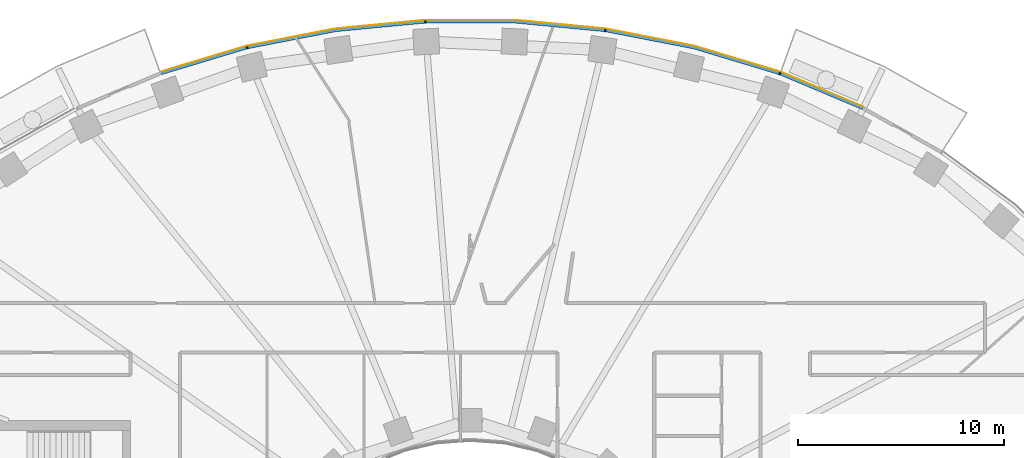
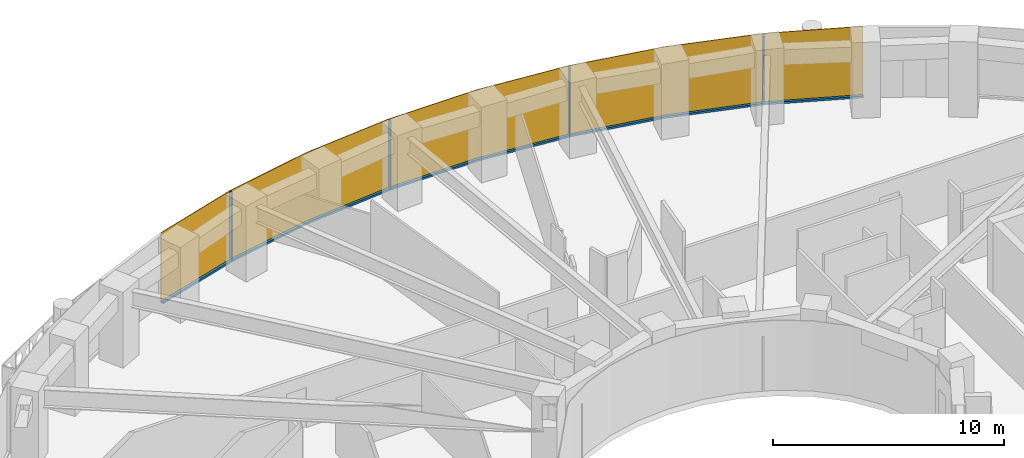
# One storey, part 12 of 15: 9 members, 1 curtain wall.
"""IFC4 building model written with IfcOpenShell, lengths in metres."""

from ifc_helpers import new_model, si_unit, direction, frame, origin, origin_2d, place, context, subcontext, project, spatial, polyline, rectangle, outline, extrude, material, layer, layer_set, material_profile, profile_set, type_object, element, aggregate, save


model = new_model("IFC4")

# Units and contexts
model_context = context("Model", 3, precision=1e-05, world=origin(), true_north=direction((0.0, 1.0)))
body_context = subcontext(model_context, "Body", "Model", "MODEL_VIEW")
ifc_project = project(units=[si_unit("LENGTHUNIT", "METRE"), si_unit("AREAUNIT", "SQUARE_METRE"), si_unit("VOLUMEUNIT", "CUBIC_METRE"), si_unit("PLANEANGLEUNIT", "RADIAN"), si_unit("MASSUNIT", "GRAM", prefix="KILO")], contexts=[model_context])

# Member
ifc_material_1 = material(Name="Aluminium 6063-T6 black anodised", Category="aluminium")
ifc_material_profile = material_profile(ifc_material_1, rectangle(XDim=0.1201171875, YDim=0.06005859375, at=origin_2d()), Name="120x60")
ifc_profile_set = profile_set([ifc_material_profile], Name="Aluminium 6063-T6 black anodised")
member_type_1 = type_object("IfcMemberType", Name="ENV-MULLION-A-120", PredefinedType="MULLION", material=ifc_profile_set)
site_placement = place(None, origin())
building_placement = place(site_placement, origin())
storey_placement = place(building_placement, frame((0.0, 0.0, 128.0)))
member_1_placement = place(storey_placement, frame((15.0341796875, 25.34375, 0.0), z_axis=(0.0, 0.0, 1.0), x_axis=(-0.338379256581, -0.941009818608, 0.0)))
member_1 = element("IfcMember", 1, at=member_1_placement, type_object=member_type_1, Name="Mullion A radial 09", PredefinedType="MULLION", context=body_context, shape_type="SweptSolid", body=[
    extrude(rectangle(XDim=0.1201171875, YDim=0.06005859375, at=origin_2d()), origin(), (0.0, 0.0, 1.0), 3.699951171875),
])

member_2_placement = place(storey_placement, frame((6.54638671875, 27.440185546875, 0.0), z_axis=(0.0, 0.0, 1.0), x_axis=(-0.143082012705, -0.989710835366, 0.0)))
member_2 = element("IfcMember", 2, at=member_2_placement, type_object=member_type_1, Name="Mullion A radial 11", PredefinedType="MULLION", context=body_context, shape_type="SweptSolid", body=[
    extrude(rectangle(XDim=0.1201171875, YDim=0.06005859375, at=origin_2d()), origin(), (0.0, 0.0, 1.0), 3.699951171875),
])

member_3_placement = place(storey_placement, frame((-2.188720703125, 27.856201171875, 0.0), z_axis=(0.0, 0.0, 1.0), x_axis=(0.047557873581, -0.998868484166, 0.0)))
member_3 = element("IfcMember", 3, at=member_3_placement, type_object=member_type_1, Name="Mullion A radial 13", PredefinedType="MULLION", context=body_context, shape_type="SweptSolid", body=[
    extrude(rectangle(XDim=0.1201171875, YDim=0.06005859375, at=origin_2d()), origin(), (0.0, 0.0, 1.0), 3.699951171875),
])

member_4_placement = place(storey_placement, frame((-10.84326171875, 26.60498046875, 0.0), z_axis=(0.0, 0.0, 1.0), x_axis=(0.239799081534, -0.970822538106, 0.0)))
member_4 = element("IfcMember", 4, at=member_4_placement, type_object=member_type_1, Name="Mullion A radial 15", PredefinedType="MULLION", context=body_context, shape_type="SweptSolid", body=[
    extrude(rectangle(XDim=0.1201171875, YDim=0.06005859375, at=origin_2d()), origin(), (0.0, 0.0, 1.0), 3.699951171875),
])

ifc_material_2 = material(Name="Aluminium 6063-T6 black anodised", Category="aluminium")
member_type_2 = type_object("IfcMemberType", Name="ENV-TRANSOM-A", PredefinedType="USERDEFINED", material=ifc_material_2)
member_5_placement = place(storey_placement, origin())
member_5 = element("IfcMember", 5, at=member_5_placement, type_object=member_type_2, Name="Transom A radial 08-09", ObjectType="TRANSOM", PredefinedType="USERDEFINED", context=body_context, shape_type="SweptSolid", body=[
    extrude(outline(polyline([(19.07568359375, 23.709228515625), (15.080322265625, 25.389404296875), (15.03955078125, 25.276123046875), (19.02294921875, 23.601318359375), (19.07568359375, 23.709228515625)])), origin(), (0.0, 0.0, 1.0), 0.10009765625),
])

member_6_placement = place(storey_placement, origin())
member_6 = element("IfcMember", 6, at=member_6_placement, type_object=member_type_2, Name="Transom A radial 09-11", ObjectType="TRANSOM", PredefinedType="USERDEFINED", context=body_context, shape_type="SweptSolid", body=[
    extrude(outline(polyline([(15.027587890625, 25.408203125), (10.857666015625, 26.6630859375), (6.58251953125, 27.494140625), (6.5654296875, 27.375244140625), (10.828857421875, 26.54638671875), (14.987060546875, 25.295166015625), (15.027587890625, 25.408203125)])), origin(), (0.0, 0.0, 1.0), 0.10009765625),
])

member_7_placement = place(storey_placement, origin())
member_7 = element("IfcMember", 7, at=member_7_placement, type_object=member_type_2, Name="Transom A radial 11-13", ObjectType="TRANSOM", PredefinedType="USERDEFINED", context=body_context, shape_type="SweptSolid", body=[
    extrude(outline(polyline([(6.527099609375, 27.502197265625), (2.191650390625, 27.916015625), (-2.163818359375, 27.916015625), (-2.157958984375, 27.7958984375), (2.185791015625, 27.7958984375), (6.510009765625, 27.38330078125), (6.527099609375, 27.502197265625)])), origin(), (0.0, 0.0, 1.0), 0.10009765625),
])

member_8_placement = place(storey_placement, origin())
member_8 = element("IfcMember", 8, at=member_8_placement, type_object=member_type_2, Name="Transom A radial 13-15", ObjectType="TRANSOM", PredefinedType="USERDEFINED", context=body_context, shape_type="SweptSolid", body=[
    extrude(outline(polyline([(-2.219482421875, 27.913330078125), (-6.55517578125, 27.49951171875), (-10.830078125, 26.66845703125), (-10.80126953125, 26.552001953125), (-6.537841796875, 27.380615234375), (-2.2138671875, 27.793212890625), (-2.219482421875, 27.913330078125)])), origin(), (0.0, 0.0, 1.0), 0.10009765625),
])

member_9_placement = place(storey_placement, origin())
member_9 = element("IfcMember", 9, at=member_9_placement, type_object=member_type_2, Name="Transom A radial 15-16", ObjectType="TRANSOM", PredefinedType="USERDEFINED", context=body_context, shape_type="SweptSolid", body=[
    extrude(outline(polyline([(-10.884521484375, 26.655029296875), (-15.035400390625, 25.406005859375), (-14.99462890625, 25.292724609375), (-10.855712890625, 26.53857421875), (-10.884521484375, 26.655029296875)])), origin(), (0.0, 0.0, 1.0), 0.10009765625),
])

# Site, building, storey
site = spatial("IfcSite", under=ifc_project, at=site_placement, CompositionType="ELEMENT")
building = spatial("IfcBuilding", under=site, at=building_placement, Name="Noorbagh Ring Tower", CompositionType="ELEMENT")
storey = spatial("IfcBuildingStorey", under=building, at=storey_placement, Name="L29", CompositionType="ELEMENT", Elevation=128.0)

# Curtain wall
ifc_material_3 = material(Name="Glass dark tinted laminated", Category="glass")
ifc_layer = layer(ifc_material_3, 0.031982421875)
ifc_layer_set = layer_set([ifc_layer], Name="Glass dark tinted laminated")
curtain_wall_type = type_object("IfcCurtainWallType", Name="ENV-CW-A", PredefinedType="NOTDEFINED", material=ifc_layer_set)
curtain_wall_placement = place(storey_placement, origin())
curtain_wall = element("IfcCurtainWall", 10, at=curtain_wall_placement, inside=storey, type_object=curtain_wall_type, Name="Curtain wall A R08", PredefinedType="NOTDEFINED", context=body_context, shape_type="SweptSolid", body=[
    extrude(outline(polyline([(19.08984375, 23.738037109375), (15.065185546875, 25.430419921875), (10.865234375, 26.6943359375), (6.559814453125, 27.53125), (2.193115234375, 27.947998046875), (-2.193115234375, 27.947998046875), (-6.559814453125, 27.53125), (-10.865234375, 26.6943359375), (-15.046142578125, 25.43603515625), (-15.035400390625, 25.406005859375), (-10.857666015625, 26.6630859375), (-6.55517578125, 27.49951171875), (-2.191650390625, 27.916015625), (2.191650390625, 27.916015625), (6.55517578125, 27.49951171875), (10.857666015625, 26.6630859375), (15.054443359375, 25.400146484375), (19.07568359375, 23.709228515625), (19.08984375, 23.738037109375)])), origin(), (0.0, 0.0, 1.0), 3.699951171875),
])

aggregate(curtain_wall, [member_1, member_2, member_3, member_4, member_5, member_6, member_7, member_8, member_9])

save(model, "model.ifc")
